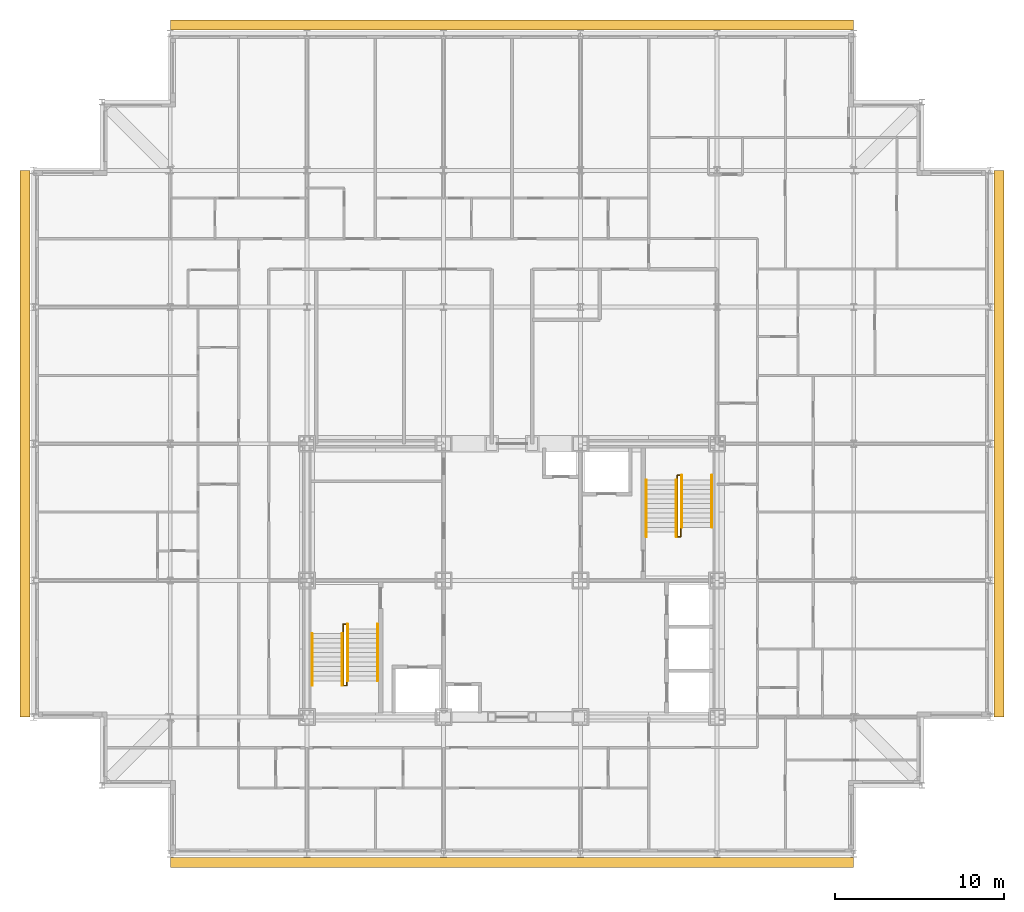
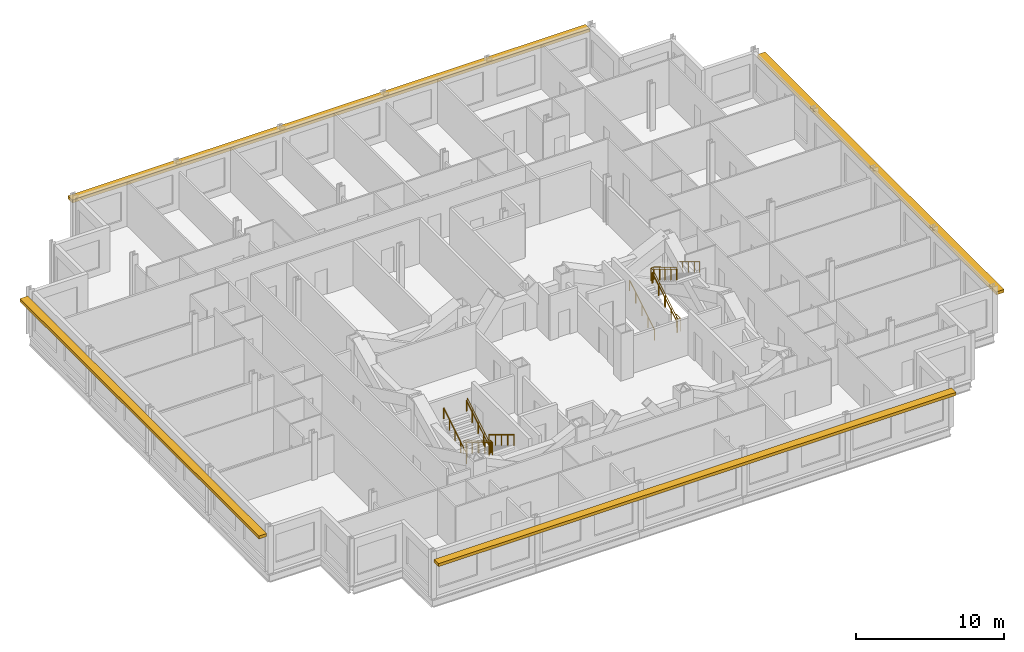
# One storey, part 15 of 15: 10 railings, 4 shading devices.
"""IFC4 building model written with IfcOpenShell, lengths in metres."""

from ifc_helpers import new_model, si_unit, direction, frame, origin, origin_2d, place, context, subcontext, project, spatial, rectangle, circle, extrude, material, type_object, element, save


model = new_model("IFC4")

# Units and contexts
model_context = context("Model", 3, precision=1e-05, world=origin(), true_north=direction((0.0, 1.0)))
body_context = subcontext(model_context, "Body", "Model", "MODEL_VIEW")
ifc_project = project(units=[si_unit("LENGTHUNIT", "METRE"), si_unit("AREAUNIT", "SQUARE_METRE"), si_unit("VOLUMEUNIT", "CUBIC_METRE"), si_unit("PLANEANGLEUNIT", "RADIAN"), si_unit("MASSUNIT", "GRAM", prefix="KILO")], contexts=[model_context])

# Site, building, storey
site_placement = place(None, origin())
site = spatial("IfcSite", under=ifc_project, at=site_placement, CompositionType="ELEMENT")
building_placement = place(site_placement, origin())
building = spatial("IfcBuilding", under=site, at=building_placement, Name="Kopane Lantern Tower", CompositionType="ELEMENT")
storey_placement = place(building_placement, frame((0.0, 0.0, 273.60009765625)))
storey = spatial("IfcBuildingStorey", under=building, at=storey_placement, Name="L70", CompositionType="ELEMENT", Elevation=273.60009765625)

# Railings
ifc_material_1 = material(Name="Steel", Category="steel")
railing_type_1 = type_object("IfcRailingType", Name="STAIR GUARD 1100", PredefinedType="GUARDRAIL", material=ifc_material_1)
railing_1_placement = place(storey_placement, frame((18.35009765625, 29.25, 0.0)))
element("IfcRailing", 1, at=railing_1_placement, inside=storey, type_object=railing_type_1, Name="ST1 well guard L70", PredefinedType="GUARDRAIL", context=body_context, shape_type="SweptSolid", body=[
    extrude(circle(Radius=0.02392578125, at=origin_2d()), frame((0.0, 0.0, 1.076171875), z_axis=(0.0, 1.0, 0.0), x_axis=(-1.0, 0.0, 0.0)), (0.0, 0.0, 1.0), 0.56005859375),
    extrude(circle(Radius=0.02392578125, at=origin_2d()), frame((0.0, 0.56005859375, 1.076171875), z_axis=(1.0, 0.0, 0.0), x_axis=(0.0, 1.0, 0.0)), (0.0, 0.0, 1.0), 0.199951171875),
    extrude(circle(Radius=0.02392578125, at=origin_2d()), frame((0.199951171875, 0.56005859375, 1.076171875), z_axis=(0.0, -0.85539645441, 0.517973846621), x_axis=(1.0, 0.0, 0.0)), (0.0, 0.0, 1.0), 3.92822265625),
    extrude(circle(Radius=0.02392578125, at=origin_2d()), frame((0.199951171875, -2.800048828125, 3.11083984375), z_axis=(0.0, -1.0, 0.0), x_axis=(1.0, 0.0, 0.0)), (0.0, 0.0, 1.0), 0.280029296875),
    extrude(circle(Radius=0.02392578125, at=origin_2d()), frame((0.199951171875, -3.080078125, 3.11083984375), z_axis=(-1.0, 0.0, 0.0), x_axis=(0.0, -1.0, 0.0)), (0.0, 0.0, 1.0), 0.199951171875),
    extrude(circle(Radius=0.02392578125, at=origin_2d()), frame((0.0, -3.080078125, 3.11083984375), z_axis=(0.0, 0.855379917629, 0.518001154937), x_axis=(-1.0, 0.0, 0.0)), (0.0, 0.0, 1.0), 3.600830078125),
    extrude(circle(Radius=0.02099609375, at=origin_2d()), origin(), (0.0, 0.0, 1.0), 1.052001953125),
    extrude(circle(Radius=0.02099609375, at=origin_2d()), frame((0.0, 0.56005859375, 0.0)), (0.0, 0.0, 1.0), 1.052001953125),
    extrude(circle(Radius=0.02099609375, at=origin_2d()), frame((0.199951171875, 0.56005859375, 0.0)), (0.0, 0.0, 1.0), 1.052001953125),
    extrude(circle(Radius=0.02099609375, at=origin_2d()), frame((0.199951171875, -0.280029296875, 0.5087890625)), (0.0, 0.0, 1.0), 1.052001953125),
    extrude(circle(Radius=0.02099609375, at=origin_2d()), frame((0.199951171875, -1.1201171875, 1.017333984375)), (0.0, 0.0, 1.0), 1.052001953125),
    extrude(circle(Radius=0.02099609375, at=origin_2d()), frame((0.199951171875, -1.9599609375, 1.52587890625)), (0.0, 0.0, 1.0), 1.052001953125),
    extrude(circle(Radius=0.02099609375, at=origin_2d()), frame((0.199951171875, -2.800048828125, 2.03466796875)), (0.0, 0.0, 1.0), 1.052001953125),
    extrude(circle(Radius=0.02099609375, at=origin_2d()), frame((0.199951171875, -3.080078125, 2.03466796875)), (0.0, 0.0, 1.0), 1.052001953125),
    extrude(circle(Radius=0.02099609375, at=origin_2d()), frame((0.0, -3.080078125, 2.03466796875)), (0.0, 0.0, 1.0), 1.052001953125),
    extrude(circle(Radius=0.02099609375, at=origin_2d()), frame((0.0, -2.31005859375, 2.5009765625)), (0.0, 0.0, 1.0), 1.052001953125),
    extrude(circle(Radius=0.02099609375, at=origin_2d()), frame((0.0, -1.5400390625, 2.96728515625)), (0.0, 0.0, 1.0), 1.052001953125),
    extrude(circle(Radius=0.02099609375, at=origin_2d()), frame((0.0, -0.77001953125, 3.43359375)), (0.0, 0.0, 1.0), 1.052001953125),
    extrude(circle(Radius=0.02099609375, at=origin_2d()), frame((0.0, 0.0, 3.89990234375)), (0.0, 0.0, 1.0), 1.052001953125),
])
railing_2_placement = place(storey_placement, frame((38.35009765625, 35.550048828125, 0.0)))
element("IfcRailing", 2, at=railing_2_placement, inside=storey, type_object=railing_type_1, Name="ST2 well guard L70", PredefinedType="GUARDRAIL", context=body_context, shape_type="SweptSolid", body=[
    extrude(circle(Radius=0.02392578125, at=origin_2d()), frame((0.0, 0.0, 1.076171875), z_axis=(0.0, -1.0, 0.0), x_axis=(1.0, 0.0, 0.0)), (0.0, 0.0, 1.0), 0.56005859375),
    extrude(circle(Radius=0.02392578125, at=origin_2d()), frame((0.0, -0.56005859375, 1.076171875), z_axis=(-1.0, 0.0, 0.0), x_axis=(0.0, -1.0, 0.0)), (0.0, 0.0, 1.0), 0.2001953125),
    extrude(circle(Radius=0.02392578125, at=origin_2d()), frame((-0.2001953125, -0.56005859375, 1.076171875), z_axis=(0.0, 0.85539645441, 0.517973846621), x_axis=(-1.0, 0.0, 0.0)), (0.0, 0.0, 1.0), 3.92822265625),
    extrude(circle(Radius=0.02392578125, at=origin_2d()), frame((-0.2001953125, 2.800048828125, 3.11083984375), z_axis=(0.0, 1.0, 0.0), x_axis=(-1.0, 0.0, 0.0)), (0.0, 0.0, 1.0), 0.27978515625),
    extrude(circle(Radius=0.02392578125, at=origin_2d()), frame((-0.2001953125, 3.079833984375, 3.11083984375), z_axis=(1.0, 0.0, 0.0), x_axis=(0.0, 1.0, 0.0)), (0.0, 0.0, 1.0), 0.2001953125),
    extrude(circle(Radius=0.02392578125, at=origin_2d()), frame((0.0, 3.079833984375, 3.11083984375), z_axis=(0.0, -0.855361723277, 0.518031198243), x_axis=(1.0, 0.0, 0.0)), (0.0, 0.0, 1.0), 3.6005859375),
    extrude(circle(Radius=0.02099609375, at=origin_2d()), origin(), (0.0, 0.0, 1.0), 1.052001953125),
    extrude(circle(Radius=0.02099609375, at=origin_2d()), frame((0.0, -0.56005859375, 0.0)), (0.0, 0.0, 1.0), 1.052001953125),
    extrude(circle(Radius=0.02099609375, at=origin_2d()), frame((-0.2001953125, -0.56005859375, 0.0)), (0.0, 0.0, 1.0), 1.052001953125),
    extrude(circle(Radius=0.02099609375, at=origin_2d()), frame((-0.2001953125, 0.280029296875, 0.5087890625)), (0.0, 0.0, 1.0), 1.052001953125),
    extrude(circle(Radius=0.02099609375, at=origin_2d()), frame((-0.2001953125, 1.1201171875, 1.017333984375)), (0.0, 0.0, 1.0), 1.052001953125),
    extrude(circle(Radius=0.02099609375, at=origin_2d()), frame((-0.2001953125, 1.9599609375, 1.52587890625)), (0.0, 0.0, 1.0), 1.052001953125),
    extrude(circle(Radius=0.02099609375, at=origin_2d()), frame((-0.2001953125, 2.800048828125, 2.03466796875)), (0.0, 0.0, 1.0), 1.052001953125),
    extrude(circle(Radius=0.02099609375, at=origin_2d()), frame((-0.2001953125, 3.079833984375, 2.03466796875)), (0.0, 0.0, 1.0), 1.052001953125),
    extrude(circle(Radius=0.02099609375, at=origin_2d()), frame((0.0, 3.079833984375, 2.03466796875)), (0.0, 0.0, 1.0), 1.052001953125),
    extrude(circle(Radius=0.02099609375, at=origin_2d()), frame((0.0, 2.309814453125, 2.5009765625)), (0.0, 0.0, 1.0), 1.052001953125),
    extrude(circle(Radius=0.02099609375, at=origin_2d()), frame((0.0, 1.5400390625, 2.96728515625)), (0.0, 0.0, 1.0), 1.052001953125),
    extrude(circle(Radius=0.02099609375, at=origin_2d()), frame((0.0, 0.77001953125, 3.43359375)), (0.0, 0.0, 1.0), 1.052001953125),
    extrude(circle(Radius=0.02099609375, at=origin_2d()), frame((0.0, 0.0, 3.89990234375)), (0.0, 0.0, 1.0), 1.052001953125),
])
ifc_material_2 = material(Name="Steel", Category="steel")
railing_type_2 = type_object("IfcRailingType", Name="STAIR HANDRAIL 900", PredefinedType="HANDRAIL", material=ifc_material_2)
for number, where, name in (
    (3, (20.389892578125, 29.81005859375, 0.0), "ST1 handrail L70 flight 1"),
    (4, (18.610107421875, 29.81005859375, 0.0), "ST1 handrail L70 flight 1"),
):
    element("IfcRailing", number, at=place(storey_placement, frame(where)), inside=storey, type_object=railing_type_2, Name=name, PredefinedType="HANDRAIL", context=body_context, shape_type="SweptSolid", body=[
        extrude(circle(Radius=0.02392578125, at=origin_2d()), frame((0.0, 0.0, 0.8759765625), z_axis=(0.0, -0.85539645441, 0.517973846621), x_axis=(1.0, 0.0, 0.0)), (0.0, 0.0, 1.0), 3.92822265625),
        extrude(circle(Radius=0.02099609375, at=origin_2d()), origin(), (0.0, 0.0, 1.0), 0.851806640625),
        extrude(circle(Radius=0.02099609375, at=origin_2d()), frame((0.0, -0.840087890625, 0.5087890625)), (0.0, 0.0, 1.0), 0.851806640625),
        extrude(circle(Radius=0.02099609375, at=origin_2d()), frame((0.0, -1.68017578125, 1.017333984375)), (0.0, 0.0, 1.0), 0.851806640625),
        extrude(circle(Radius=0.02099609375, at=origin_2d()), frame((0.0, -2.52001953125, 1.52587890625)), (0.0, 0.0, 1.0), 0.851806640625),
        extrude(circle(Radius=0.02099609375, at=origin_2d()), frame((0.0, -3.360107421875, 2.03466796875)), (0.0, 0.0, 1.0), 0.851806640625),
    ])
for number, where, name in (
    (5, (16.510009765625, 26.169921875, 2.03466796875), "ST1 handrail L70 flight 2"),
    (6, (18.2900390625, 26.169921875, 2.03466796875), "ST1 handrail L70 flight 2"),
):
    element("IfcRailing", number, at=place(storey_placement, frame(where)), inside=storey, type_object=railing_type_2, Name=name, PredefinedType="HANDRAIL", context=body_context, shape_type="SweptSolid", body=[
        extrude(circle(Radius=0.02392578125, at=origin_2d()), frame((0.0, 0.0, 0.8759765625), z_axis=(0.0, 0.855379917629, 0.518001154937), x_axis=(-1.0, 0.0, 0.0)), (0.0, 0.0, 1.0), 3.600830078125),
        extrude(circle(Radius=0.02099609375, at=origin_2d()), origin(), (0.0, 0.0, 1.0), 0.851806640625),
        extrude(circle(Radius=0.02099609375, at=origin_2d()), frame((0.0, 0.77001953125, 0.46630859375)), (0.0, 0.0, 1.0), 0.851806640625),
        extrude(circle(Radius=0.02099609375, at=origin_2d()), frame((0.0, 1.5400390625, 0.9326171875)), (0.0, 0.0, 1.0), 0.851806640625),
        extrude(circle(Radius=0.02099609375, at=origin_2d()), frame((0.0, 2.31005859375, 1.39892578125)), (0.0, 0.0, 1.0), 0.851806640625),
        extrude(circle(Radius=0.02099609375, at=origin_2d()), frame((0.0, 3.080078125, 1.865234375)), (0.0, 0.0, 1.0), 0.851806640625),
    ])
for number, where, name in (
    (7, (36.31005859375, 34.989990234375, 0.0), "ST2 handrail L70 flight 1"),
    (8, (38.090087890625, 34.989990234375, 0.0), "ST2 handrail L70 flight 1"),
):
    element("IfcRailing", number, at=place(storey_placement, frame(where)), inside=storey, type_object=railing_type_2, Name=name, PredefinedType="HANDRAIL", context=body_context, shape_type="SweptSolid", body=[
        extrude(circle(Radius=0.02392578125, at=origin_2d()), frame((0.0, 0.0, 0.8759765625), z_axis=(0.0, 0.85539645441, 0.517973846621), x_axis=(-1.0, 0.0, 0.0)), (0.0, 0.0, 1.0), 3.92822265625),
        extrude(circle(Radius=0.02099609375, at=origin_2d()), origin(), (0.0, 0.0, 1.0), 0.851806640625),
        extrude(circle(Radius=0.02099609375, at=origin_2d()), frame((0.0, 0.840087890625, 0.5087890625)), (0.0, 0.0, 1.0), 0.851806640625),
        extrude(circle(Radius=0.02099609375, at=origin_2d()), frame((0.0, 1.68017578125, 1.017333984375)), (0.0, 0.0, 1.0), 0.851806640625),
        extrude(circle(Radius=0.02099609375, at=origin_2d()), frame((0.0, 2.52001953125, 1.52587890625)), (0.0, 0.0, 1.0), 0.851806640625),
        extrude(circle(Radius=0.02099609375, at=origin_2d()), frame((0.0, 3.360107421875, 2.03466796875)), (0.0, 0.0, 1.0), 0.851806640625),
    ])
for number, where, name in (
    (9, (40.18994140625, 38.6298828125, 2.03466796875), "ST2 handrail L70 flight 2"),
    (10, (38.409912109375, 38.6298828125, 2.03466796875), "ST2 handrail L70 flight 2"),
):
    element("IfcRailing", number, at=place(storey_placement, frame(where)), inside=storey, type_object=railing_type_2, Name=name, PredefinedType="HANDRAIL", context=body_context, shape_type="SweptSolid", body=[
        extrude(circle(Radius=0.02392578125, at=origin_2d()), frame((0.0, 0.0, 0.8759765625), z_axis=(0.0, -0.855361723277, 0.518031198243), x_axis=(1.0, 0.0, 0.0)), (0.0, 0.0, 1.0), 3.6005859375),
        extrude(circle(Radius=0.02099609375, at=origin_2d()), origin(), (0.0, 0.0, 1.0), 0.851806640625),
        extrude(circle(Radius=0.02099609375, at=origin_2d()), frame((0.0, -0.77001953125, 0.46630859375)), (0.0, 0.0, 1.0), 0.851806640625),
        extrude(circle(Radius=0.02099609375, at=origin_2d()), frame((0.0, -1.5400390625, 0.9326171875)), (0.0, 0.0, 1.0), 0.851806640625),
        extrude(circle(Radius=0.02099609375, at=origin_2d()), frame((0.0, -2.309814453125, 1.39892578125)), (0.0, 0.0, 1.0), 0.851806640625),
        extrude(circle(Radius=0.02099609375, at=origin_2d()), frame((0.0, -3.079833984375, 1.865234375)), (0.0, 0.0, 1.0), 0.851806640625),
    ])

# Shading devices
ifc_material_3 = material(Name="Terracotta rainscreen on light steel framing", Category="masonry")
shading_device_type = type_object("IfcShadingDeviceType", Name="SUNSHADE BAND SB1 600 TERRACOTTA", PredefinedType="USERDEFINED", material=ifc_material_3)
shading_device_1_placement = place(storey_placement, frame((28.35009765625, 15.6904296875, 3.0), z_axis=(0.0, 0.0, 1.0), x_axis=(1.0, 0.0, 0.0)))
element("IfcShadingDevice", 11, at=shading_device_1_placement, inside=storey, type_object=shading_device_type, Name="Sunshade band S L70", ObjectType="SUNSHADE BAND", PredefinedType="USERDEFINED", context=body_context, shape_type="SweptSolid", body=[
    extrude(rectangle(XDim=40.5, YDim=0.60009765625, at=origin_2d()), origin(), (0.0, 0.0, 1.0), 0.25),
])
shading_device_2_placement = place(storey_placement, frame((57.20361328125, 40.5, 3.0), z_axis=(0.0, 0.0, 1.0), x_axis=(0.0, 1.0, 0.0)))
element("IfcShadingDevice", 12, at=shading_device_2_placement, inside=storey, type_object=shading_device_type, Name="Sunshade band E L70", ObjectType="SUNSHADE BAND", PredefinedType="USERDEFINED", context=body_context, shape_type="SweptSolid", body=[
    extrude(rectangle(XDim=32.39990234375, YDim=0.60009765625, at=origin_2d()), origin(), (0.0, 0.0, 1.0), 0.25),
])
shading_device_3_placement = place(storey_placement, frame((28.35009765625, 65.3095703125, 3.0), z_axis=(0.0, 0.0, 1.0), x_axis=(-1.0, 0.0, 0.0)))
element("IfcShadingDevice", 13, at=shading_device_3_placement, inside=storey, type_object=shading_device_type, Name="Sunshade band N L70", ObjectType="SUNSHADE BAND", PredefinedType="USERDEFINED", context=body_context, shape_type="SweptSolid", body=[
    extrude(rectangle(XDim=40.5, YDim=0.60009765625, at=origin_2d()), origin(), (0.0, 0.0, 1.0), 0.25),
])
shading_device_4_placement = place(storey_placement, frame((-0.50341796875, 40.5, 3.0), z_axis=(0.0, 0.0, 1.0), x_axis=(0.0, -1.0, 0.0)))
element("IfcShadingDevice", 14, at=shading_device_4_placement, inside=storey, type_object=shading_device_type, Name="Sunshade band W L70", ObjectType="SUNSHADE BAND", PredefinedType="USERDEFINED", context=body_context, shape_type="SweptSolid", body=[
    extrude(rectangle(XDim=32.39990234375, YDim=0.60009765625, at=origin_2d()), origin(), (0.0, 0.0, 1.0), 0.25),
])

save(model, "model.ifc")
